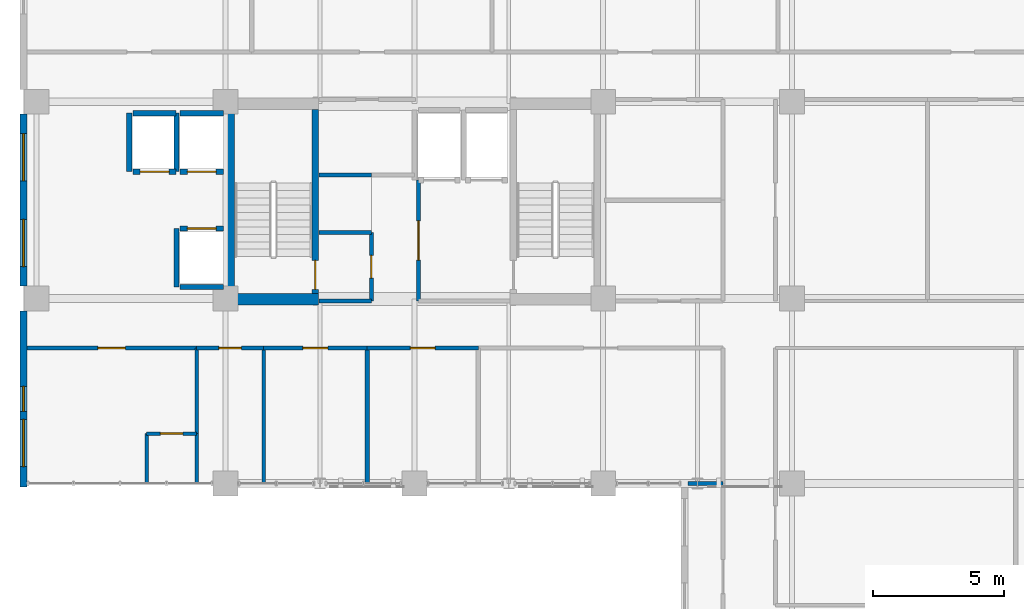
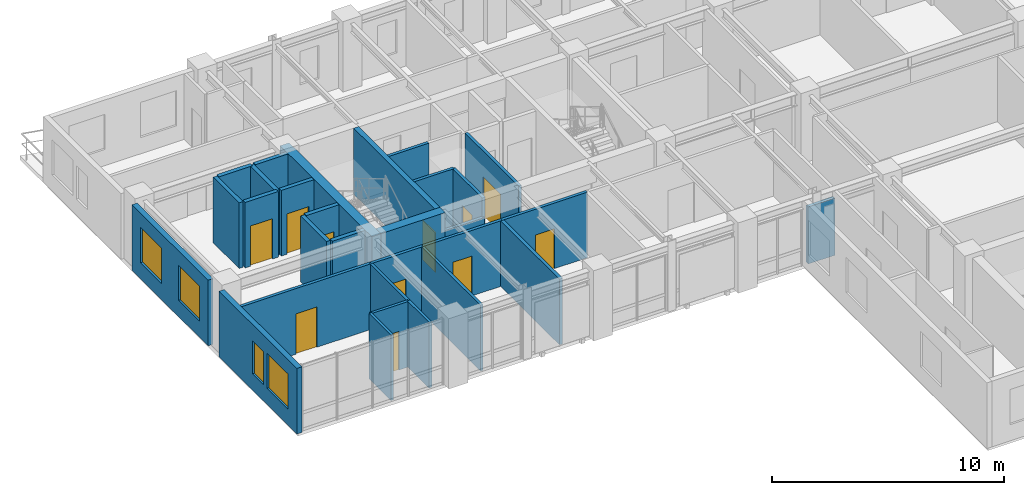
# One storey, part 8 of 16: 30 walls, 11 doors, 4 windows, 15 openings.
"""IFC4 building model written with IfcOpenShell, lengths in metres."""

import ifcopenshell
import ifcopenshell.guid

model = None  # the IFC model being written
_history = None  # IfcOwnerHistory: only IFC2X3 demands one
_inside = {}  # id of a spatial element -> (the spatial element, [elements in it])
_under = {}  # id of a project, library or spatial element -> (it, [spatial elements below it])
_declared = {}  # id of a project -> (the project, [libraries it declares])
_typed = {}  # id of a type object -> (the type object, [elements of that type])
_made_of = {}  # id of a material, layer set ... -> (it, [elements and type objects made of it])


def new_model(schema):
    """Start an empty IFC model of exactly this schema.

    Asked for "IFC4X3", IfcOpenShell would pick the latest addendum, in which some entities
    have other attributes; the version numbers below select the first issue.
    IFC2X3 requires an IfcOwnerHistory on every rooted entity: one is made here for all.
    """
    global model, _history
    if schema == "IFC4X3":
        model = ifcopenshell.file(schema_version=(4, 3, 0, 0))
    else:
        model = ifcopenshell.file(schema=schema)
    _inside.clear()
    _under.clear()
    _declared.clear()
    _typed.clear()
    _made_of.clear()
    _history = None
    if model.schema == "IFC2X3":
        org = make("IfcOrganization", Name="unknown")
        user = make(
            "IfcPersonAndOrganization",
            ThePerson=make("IfcPerson", FamilyName="unknown"),
            TheOrganization=org,
        )
        app = make(
            "IfcApplication",
            ApplicationDeveloper=org,
            Version="unknown",
            ApplicationFullName="unknown",
            ApplicationIdentifier="unknown",
        )
        _history = make(
            "IfcOwnerHistory",
            OwningUser=user,
            OwningApplication=app,
            ChangeAction="ADDED",
            CreationDate=0,
        )
    return model


def make(cls, **values):
    """One entity of the class cls with the attributes given. An attribute that is None is left unset."""
    return model.create_entity(
        cls, **{name: value for name, value in values.items() if value is not None}
    )


def rooted(cls, **values):
    """An entity with a GlobalId (a new one), such as an element, a storey or a relation."""
    return make(cls, GlobalId=ifcopenshell.guid.new(), OwnerHistory=_history, **values)


def si_unit(unit_type, name, prefix=None):
    """IfcSIUnit, for example si_unit("LENGTHUNIT", "METRE", prefix="MILLI")."""
    return make("IfcSIUnit", UnitType=unit_type, Prefix=prefix, Name=name)


def assignment(units):
    """IfcUnitAssignment: the units of a project."""
    return None if units is None else make("IfcUnitAssignment", Units=units)


def point(xyz):
    """IfcCartesianPoint."""
    return None if xyz is None else make("IfcCartesianPoint", Coordinates=xyz)


def direction(xyz):
    """IfcDirection."""
    return None if xyz is None else make("IfcDirection", DirectionRatios=xyz)


def frame(location, z_axis=None, x_axis=None):
    """IfcAxis2Placement3D, a coordinate frame: its origin and axes. An axis left out is left unset."""
    return make(
        "IfcAxis2Placement3D",
        Location=point(location),
        Axis=direction(z_axis),
        RefDirection=direction(x_axis),
    )


def frame_2d(location, x_axis=None):
    """IfcAxis2Placement2D, a coordinate frame in the plane: its origin and x axis."""
    return make(
        "IfcAxis2Placement2D", Location=point(location), RefDirection=direction(x_axis)
    )


def origin():
    """The frame at (0, 0, 0) with its axes left unset."""
    return frame((0.0, 0.0, 0.0))


def place(relative_to, where):
    """IfcLocalPlacement: puts the frame where relative to a parent placement (None: the world)."""
    return make(
        "IfcLocalPlacement", PlacementRelTo=relative_to, RelativePlacement=where
    )


def context(
    kind, dimensions, precision=None, world=None, true_north=None, identifier=None
):
    """IfcGeometricRepresentationContext, for example the 3D "Model" context."""
    return make(
        "IfcGeometricRepresentationContext",
        ContextIdentifier=identifier,
        ContextType=kind,
        CoordinateSpaceDimension=dimensions,
        Precision=precision,
        WorldCoordinateSystem=world,
        TrueNorth=true_north,
    )


def subcontext(parent, identifier, kind, view, scale=None):
    """IfcGeometricRepresentationSubContext, for example "Body" below "Model"."""
    return make(
        "IfcGeometricRepresentationSubContext",
        ContextIdentifier=identifier,
        ContextType=kind,
        ParentContext=parent,
        TargetScale=scale,
        TargetView=view,
    )


def project(units=None, contexts=None):
    """IfcProject with its units and contexts."""
    return rooted(
        "IfcProject",
        Name="project",
        RepresentationContexts=contexts,
        UnitsInContext=assignment(units),
    )


def spatial(cls, under=None, at=None, **own):
    """A site, building, storey or space (cls), placed at a placement, below another one or the project."""
    s = rooted(cls, ObjectPlacement=at, **own)
    if under is not None:
        _under.setdefault(under.id(), (under, []))[1].append(s)
    return s


def profile(cls, at=None, kind="AREA", **sizes):
    """A parametric profile (cls). Its sizes go by their IFC names, for example OverallWidth=200.0."""
    return make(cls, ProfileType=kind, Position=at, **sizes)


def rectangle(**sizes):
    """IfcRectangleProfileDef."""
    return profile("IfcRectangleProfileDef", **sizes)


def extrude(swept, where, along, depth):
    """IfcExtrudedAreaSolid: the profile swept, set in the frame where, extruded along a direction by depth."""
    return make(
        "IfcExtrudedAreaSolid",
        SweptArea=swept,
        Position=where,
        ExtrudedDirection=direction(along),
        Depth=depth,
    )


def shape(context_of_items, identifier, shape_type, items):
    """IfcShapeRepresentation: the items that make up one representation, for example the "Body"."""
    return make(
        "IfcShapeRepresentation",
        ContextOfItems=context_of_items,
        RepresentationIdentifier=identifier,
        RepresentationType=shape_type,
        Items=items,
    )


def material(Name=None, Category=None):
    """IfcMaterial."""
    return make("IfcMaterial", Name=Name, Category=Category)


def layer(
    of_material, thickness, ventilated=None, Name=None, Category=None, Priority=None
):
    """IfcMaterialLayer: one layer of a wall or slab, of a material (None: an air gap)."""
    return make(
        "IfcMaterialLayer",
        Material=of_material,
        LayerThickness=thickness,
        IsVentilated=ventilated,
        Name=Name,
        Category=Category,
        Priority=Priority,
    )


def layer_set(layers, Name=None):
    """IfcMaterialLayerSet."""
    return make("IfcMaterialLayerSet", MaterialLayers=layers, LayerSetName=Name)


def made_of(thing, what):
    """Note that an element or type object is made of a material, layer set ...; save() writes the relation."""
    if what is not None:
        _made_of.setdefault(what.id(), (what, []))[1].append(thing)
    return thing


def type_object(cls, material=None, **own):
    """A type object (cls), such as IfcWallType, which elements share."""
    return made_of(rooted(cls, **own), material)


def element(
    cls,
    number,
    at=None,
    inside=None,
    cuts=None,
    type_object=None,
    material=None,
    context=None,
    identifier="Body",
    shape_type=None,
    held_by="IfcProductDefinitionShape",
    body=None,
    shapes=None,
    **own,
):
    """One element of the class cls, such as IfcWall. Its Tag is "e" and its number.

    at: its placement. inside: the storey or other place that contains it. cuts: it is an
    opening in that element (IfcRelVoidsElement). A single representation is given by context,
    identifier, shape_type and body (its items); several are given by shapes. held_by: the class
    of the entity that holds the representations. save() writes the other relations.
    """
    e = rooted(cls, Tag="e%d" % number, ObjectPlacement=at, **own)
    if body is not None:
        shapes = [shape(context, identifier, shape_type, body)]
    if shapes is not None:
        e.Representation = make(held_by, Representations=shapes)
    if inside is not None:
        _inside.setdefault(inside.id(), (inside, []))[1].append(e)
    if cuts is not None:
        rooted(
            "IfcRelVoidsElement", RelatingBuildingElement=cuts, RelatedOpeningElement=e
        )
    if type_object is not None:
        _typed.setdefault(type_object.id(), (type_object, []))[1].append(e)
    return made_of(e, material)


def fill(opening, filler):
    """IfcRelFillsElement: the door or window that sits in an opening."""
    return rooted(
        "IfcRelFillsElement",
        RelatingOpeningElement=opening,
        RelatedBuildingElement=filler,
    )


def aggregate(whole, parts):
    """IfcRelAggregates: a whole, such as a stair, and the parts it consists of."""
    return rooted("IfcRelAggregates", RelatingObject=whole, RelatedObjects=parts)


def save(model, path):
    """Write the relations noted so far, then the file.

    IfcRelAggregates (storeys below a building ...), IfcRelContainedInSpatialStructure (elements
    in a storey), IfcRelDefinesByType, IfcRelAssociatesMaterial and IfcRelDeclares: one each for
    every whole, place, type object, material and project.
    """
    for whole, parts in _under.values():
        aggregate(whole, parts)
    for where, things in _inside.values():
        rooted(
            "IfcRelContainedInSpatialStructure",
            RelatedElements=things,
            RelatingStructure=where,
        )
    for kind, things in _typed.values():
        rooted("IfcRelDefinesByType", RelatedObjects=things, RelatingType=kind)
    for what, things in _made_of.values():
        rooted("IfcRelAssociatesMaterial", RelatedObjects=things, RelatingMaterial=what)
    for by, libraries in _declared.values():
        rooted("IfcRelDeclares", RelatingContext=by, RelatedDefinitions=libraries)
    model.write(path)


model = new_model("IFC4")

# Units and contexts
model_context = context("Model", 3, precision=1e-05, world=origin(), true_north=direction((0.0, 1.0)))
body_context = subcontext(model_context, "Body", "Model", "MODEL_VIEW")
ifc_project = project(units=[si_unit("LENGTHUNIT", "METRE"), si_unit("AREAUNIT", "SQUARE_METRE"), si_unit("VOLUMEUNIT", "CUBIC_METRE"), si_unit("PLANEANGLEUNIT", "RADIAN"), si_unit("MASSUNIT", "GRAM", prefix="KILO")], contexts=[model_context])

# Site, building, storey
site_placement = place(None, origin())
site = spatial("IfcSite", under=ifc_project, at=site_placement, CompositionType="ELEMENT")
building_placement = place(site_placement, origin())
building = spatial("IfcBuilding", under=site, at=building_placement, Name="Kaliganga Portal Commons", CompositionType="ELEMENT")
storey_placement = place(building_placement, frame((0.0, 0.0, 205.5)))
storey = spatial("IfcBuildingStorey", under=building, at=storey_placement, Name="L52", CompositionType="ELEMENT", Elevation=205.5)

# Walls
ifc_material_1 = material(Name="Concrete C60/75", Category="concrete")
ifc_layer_1 = layer(ifc_material_1, 0.449951171875)
ifc_layer_set_1 = layer_set([ifc_layer_1], Name="Concrete C60/75")
wall_type_1 = type_object("IfcWallType", Name="WL-CORE-450", PredefinedType="SHEAR", material=ifc_layer_set_1)
wall_1_placement = place(storey_placement, frame((14.52490234375, 28.39990234375, 0.0), z_axis=(0.0, 0.0, 1.0), x_axis=(0.0, 1.0, 0.0)))
element("IfcWall", 1, at=wall_1_placement, inside=storey, type_object=wall_type_1, Name="Core A West Shear Wall L52", PredefinedType="SHEAR", context=body_context, shape_type="SweptSolid", body=[
    extrude(rectangle(XDim=7.900146484375, YDim=0.449951171875, at=frame_2d((3.9501953125, 0.0))), origin(), (0.0, 0.0, 1.0), 3.469970703125),
])
wall_2_placement = place(storey_placement, frame((14.75, 28.625, 0.0), z_axis=(0.0, 0.0, 1.0), x_axis=(1.0, 0.0, 0.0)))
element("IfcWall", 2, at=wall_2_placement, inside=storey, type_object=wall_type_1, Name="Core A S-West Shear Wall L52", PredefinedType="SHEAR", context=body_context, shape_type="SweptSolid", body=[
    extrude(rectangle(XDim=3.199951171875, YDim=0.449951171875, at=frame_2d((1.60009765625, 0.0))), origin(), (0.0, 0.0, 1.0), 3.469970703125),
])

# Wall, openings, windows
ifc_material_2 = material(Name="Insulated Aluminium-Clad Spandrel Assembly", Category="aluminium")
ifc_layer_2 = layer(ifc_material_2, 0.260009765625)
ifc_layer_set_2 = layer_set([ifc_layer_2], Name="Insulated Aluminium-Clad Spandrel Assembly")
wall_type_2 = type_object("IfcWallType", Name="WL-EXT-SPAND-260", PredefinedType="STANDARD", material=ifc_layer_set_2)
wall_3_placement = place(storey_placement, frame((6.699951171875, 29.1259765625, 0.0), z_axis=(0.0, 0.0, 1.0), x_axis=(0.0, 1.0, 0.0)))
wall_3 = element("IfcWall", 3, at=wall_3_placement, inside=storey, type_object=wall_type_2, Name="Exterior Envelope Wall L52 P1-E03-S2", PredefinedType="STANDARD", context=body_context, shape_type="SweptSolid", body=[
    extrude(rectangle(XDim=6.548095703125, YDim=0.260009765625, at=frame_2d((3.27392578125, 0.0))), origin(), (0.0, 0.0, 1.0), 3.449951171875),
])
opening_1_placement = place(wall_3_placement, frame((0.737060546875, 0.0, 0.85009765625)))
opening_1 = element("IfcOpeningElement", 4, at=opening_1_placement, cuts=wall_3, Name="Opening W-01", PredefinedType="OPENING", context=body_context, shape_type="SweptSolid", body=[
    extrude(rectangle(XDim=1.800048828125, YDim=1.85009765625, at=frame_2d((0.89990234375, 0.925048828125))), frame((0.0, 0.14013671875, 0.0), z_axis=(0.0, -1.0, 0.0), x_axis=(1.0, 0.0, 0.0)), (0.0, 0.0, 1.0), 0.280029296875),
])
opening_2_placement = place(wall_3_placement, frame((4.010986328125, 0.0, 0.85009765625)))
opening_2 = element("IfcOpeningElement", 5, at=opening_2_placement, cuts=wall_3, Name="Opening W-01", PredefinedType="OPENING", context=body_context, shape_type="SweptSolid", body=[
    extrude(rectangle(XDim=1.800048828125, YDim=1.85009765625, at=frame_2d((0.89990234375, 0.925048828125))), frame((0.0, 0.14013671875, 0.0), z_axis=(0.0, -1.0, 0.0), x_axis=(1.0, 0.0, 0.0)), (0.0, 0.0, 1.0), 0.280029296875),
])
ifc_material_3 = material(Name="Thermally Broken Aluminium and Low-E Double Glazing", Category="aluminium")
window_type_1 = type_object("IfcWindowType", Name="WIN-STD-1800", PartitioningType="DOUBLE_PANEL_VERTICAL", PredefinedType="WINDOW", material=ifc_material_3)
window_1_placement = place(opening_1_placement, origin())
window_1 = element("IfcWindow", 6, at=window_1_placement, inside=storey, type_object=window_type_1, Name="Facade Window L52-P1E03S2-00", OverallHeight=1.85009765625, OverallWidth=1.800048828125, PartitioningType="SINGLE_PANEL", PredefinedType="WINDOW", context=body_context, shape_type="SweptSolid", body=[
    extrude(rectangle(XDim=1.800048828125, YDim=1.85009765625, at=frame_2d((0.89990234375, 0.925048828125))), frame((0.0, 0.030029296875, 0.0), z_axis=(0.0, -1.0, 0.0), x_axis=(1.0, 0.0, 0.0)), (0.0, 0.0, 1.0), 0.06005859375),
])
fill(opening_1, window_1)
window_2_placement = place(opening_2_placement, origin())
window_2 = element("IfcWindow", 7, at=window_2_placement, inside=storey, type_object=window_type_1, Name="Facade Window L52-P1E03S2-01", OverallHeight=1.85009765625, OverallWidth=1.800048828125, PartitioningType="SINGLE_PANEL", PredefinedType="WINDOW", context=body_context, shape_type="SweptSolid", body=[
    extrude(rectangle(XDim=1.800048828125, YDim=1.85009765625, at=frame_2d((0.89990234375, 0.925048828125))), frame((0.0, 0.030029296875, 0.0), z_axis=(0.0, -1.0, 0.0), x_axis=(1.0, 0.0, 0.0)), (0.0, 0.0, 1.0), 0.06005859375),
])
fill(opening_2, window_2)

wall_4_placement = place(storey_placement, frame((6.699951171875, 21.469970703125, 0.0), z_axis=(0.0, 0.0, 1.0), x_axis=(0.0, 1.0, 0.0)))
wall_4 = element("IfcWall", 8, at=wall_4_placement, inside=storey, type_object=wall_type_2, Name="Exterior Envelope Wall L52 P1-E03-S3", PredefinedType="STANDARD", context=body_context, shape_type="SweptSolid", body=[
    extrude(rectangle(XDim=6.7041015625, YDim=0.260009765625, at=frame_2d((3.35205078125, 0.0))), origin(), (0.0, 0.0, 1.0), 3.449951171875),
])
opening_3_placement = place(wall_4_placement, frame((0.77587890625, 0.0, 0.85009765625)))
opening_3 = element("IfcOpeningElement", 9, at=opening_3_placement, cuts=wall_4, Name="Opening W-01", PredefinedType="OPENING", context=body_context, shape_type="SweptSolid", body=[
    extrude(rectangle(XDim=1.800048828125, YDim=1.85009765625, at=frame_2d((0.89990234375, 0.925048828125))), frame((0.0, 0.14013671875, 0.0), z_axis=(0.0, -1.0, 0.0), x_axis=(1.0, 0.0, 0.0)), (0.0, 0.0, 1.0), 0.280029296875),
])
opening_4_placement = place(wall_4_placement, frame((2.876953125, 0.0, 0.85009765625)))
opening_4 = element("IfcOpeningElement", 10, at=opening_4_placement, cuts=wall_4, Name="Opening W-04", PredefinedType="OPENING", context=body_context, shape_type="SweptSolid", body=[
    extrude(rectangle(XDim=0.949951171875, YDim=1.75, at=frame_2d((0.47509765625, 0.875))), frame((0.0, 0.14013671875, 0.0), z_axis=(0.0, -1.0, 0.0), x_axis=(1.0, 0.0, 0.0)), (0.0, 0.0, 1.0), 0.280029296875),
])
window_type_2 = type_object("IfcWindowType", Name="WIN-NARROW-950", PartitioningType="SINGLE_PANEL", PredefinedType="WINDOW", material=ifc_material_3)
window_3_placement = place(opening_4_placement, origin())
window_3 = element("IfcWindow", 11, at=window_3_placement, inside=storey, type_object=window_type_2, Name="Facade Window L52-P1E03S3-N0", OverallHeight=1.75, OverallWidth=0.949951171875, PartitioningType="SINGLE_PANEL", PredefinedType="WINDOW", context=body_context, shape_type="SweptSolid", body=[
    extrude(rectangle(XDim=0.949951171875, YDim=1.75, at=frame_2d((0.47509765625, 0.875))), frame((0.0, 0.030029296875, 0.0), z_axis=(0.0, -1.0, 0.0), x_axis=(1.0, 0.0, 0.0)), (0.0, 0.0, 1.0), 0.06005859375),
])
fill(opening_4, window_3)
window_4_placement = place(opening_3_placement, origin())
window_4 = element("IfcWindow", 12, at=window_4_placement, inside=storey, type_object=window_type_1, Name="Facade Window L52-P1E03S3-00", OverallHeight=1.85009765625, OverallWidth=1.800048828125, PartitioningType="SINGLE_PANEL", PredefinedType="WINDOW", context=body_context, shape_type="SweptSolid", body=[
    extrude(rectangle(XDim=1.800048828125, YDim=1.85009765625, at=frame_2d((0.89990234375, 0.925048828125))), frame((0.0, 0.030029296875, 0.0), z_axis=(0.0, -1.0, 0.0), x_axis=(1.0, 0.0, 0.0)), (0.0, 0.0, 1.0), 0.06005859375),
])
fill(opening_3, window_4)

# Wall, opening, door
ifc_material_4 = material(Name="Fire-Rated Gypsum Board on Steel Stud", Category="steel")
ifc_layer_3 = layer(ifc_material_4, 0.14990234375)
ifc_layer_set_3 = layer_set([ifc_layer_3], Name="Fire-Rated Gypsum Board on Steel Stud")
wall_type_3 = type_object("IfcWallType", Name="WL-PART-CORR-150", PredefinedType="PARTITIONING", material=ifc_layer_set_3)
wall_5_placement = place(storey_placement, frame((6.83203125, 26.760009765625, 0.0), z_axis=(0.0, 0.0, 1.0), x_axis=(1.0, 0.0, 0.0)))
wall_5 = element("IfcWall", 13, at=wall_5_placement, inside=storey, type_object=wall_type_3, Name="Interior Partition L52-020", PredefinedType="PARTITIONING", context=body_context, shape_type="SweptSolid", body=[
    extrude(rectangle(XDim=6.468017578125, YDim=0.14990234375, at=frame_2d((3.23388671875, 0.0))), origin(), (0.0, 0.0, 1.0), 3.449951171875),
])
opening_5_placement = place(wall_5_placement, frame((2.708984375, 0.0, 0.0)))
opening_5 = element("IfcOpeningElement", 14, at=opening_5_placement, cuts=wall_5, Name="Opening UD-02", PredefinedType="OPENING", context=body_context, shape_type="SweptSolid", body=[
    extrude(rectangle(XDim=1.050048828125, YDim=2.1201171875, at=frame_2d((0.52490234375, 1.06005859375))), frame((0.0, 0.0849609375, 0.0), z_axis=(0.0, -1.0, 0.0), x_axis=(1.0, 0.0, 0.0)), (0.0, 0.0, 1.0), 0.169921875),
])
ifc_material_5 = material(Name="Accessible Wide-Leaf Acoustic Fire Door", Category="wood")
door_type_1 = type_object("IfcDoorType", Name="DR-ACC-1050", OperationType="NOTDEFINED", PredefinedType="DOOR", material=ifc_material_5)
door_1_placement = place(opening_5_placement, origin())
door_1 = element("IfcDoor", 15, at=door_1_placement, inside=storey, type_object=door_type_1, Name="Interior Door L52-AS01", OperationType="SINGLE_SWING_RIGHT", OverallHeight=2.1201171875, OverallWidth=1.050048828125, PredefinedType="DOOR", context=body_context, shape_type="SweptSolid", body=[
    extrude(rectangle(XDim=1.050048828125, YDim=2.1201171875, at=frame_2d((0.52490234375, 1.06005859375))), frame((0.0, 0.02490234375, 0.0), z_axis=(0.0, -1.0, 0.0), x_axis=(1.0, 0.0, 0.0)), (0.0, 0.0, 1.0), 0.050048828125),
])
fill(opening_5, door_1)

wall_6_placement = place(storey_placement, frame((19.800048828125, 26.760009765625, 0.0), z_axis=(0.0, 0.0, 1.0), x_axis=(1.0, 0.0, 0.0)))
wall_6 = element("IfcWall", 16, at=wall_6_placement, inside=storey, type_object=wall_type_3, Name="Interior Partition L52-030", PredefinedType="PARTITIONING", context=body_context, shape_type="SweptSolid", body=[
    extrude(rectangle(XDim=4.239990234375, YDim=0.14990234375, at=frame_2d((2.1201171875, 0.0))), origin(), (0.0, 0.0, 1.0), 3.449951171875),
])
opening_6_placement = place(wall_6_placement, frame((1.64501953125, 0.0, 0.0)))
opening_6 = element("IfcOpeningElement", 17, at=opening_6_placement, cuts=wall_6, Name="Opening UD-01", PredefinedType="OPENING", context=body_context, shape_type="SweptSolid", body=[
    extrude(rectangle(XDim=0.949951171875, YDim=2.10009765625, at=frame_2d((0.47509765625, 1.050048828125))), frame((0.0, 0.0849609375, 0.0), z_axis=(0.0, -1.0, 0.0), x_axis=(1.0, 0.0, 0.0)), (0.0, 0.0, 1.0), 0.169921875),
])
ifc_material_6 = material(Name="Solid-Core Timber Acoustic Fire Door", Category="wood")
door_type_2 = type_object("IfcDoorType", Name="DR-UNIT-950", OperationType="NOTDEFINED", PredefinedType="DOOR", material=ifc_material_6)
door_2_placement = place(opening_6_placement, origin())
door_2 = element("IfcDoor", 18, at=door_2_placement, inside=storey, type_object=door_type_2, Name="Interior Door L52-AS04", OperationType="SINGLE_SWING_LEFT", OverallHeight=2.10009765625, OverallWidth=0.949951171875, PredefinedType="DOOR", context=body_context, shape_type="SweptSolid", body=[
    extrude(rectangle(XDim=0.949951171875, YDim=2.10009765625, at=frame_2d((0.47509765625, 1.050048828125))), frame((0.0, 0.02490234375, 0.0), z_axis=(0.0, -1.0, 0.0), x_axis=(1.0, 0.0, 0.0)), (0.0, 0.0, 1.0), 0.050048828125),
])
fill(opening_6, door_2)

wall_7_placement = place(storey_placement, frame((15.860107421875, 26.760009765625, 0.0), z_axis=(0.0, 0.0, 1.0), x_axis=(1.0, 0.0, 0.0)))
wall_7 = element("IfcWall", 19, at=wall_7_placement, inside=storey, type_object=wall_type_3, Name="Interior Partition L52-032", PredefinedType="PARTITIONING", context=body_context, shape_type="SweptSolid", body=[
    extrude(rectangle(XDim=3.93994140625, YDim=0.14990234375, at=frame_2d((1.969970703125, 0.0))), origin(), (0.0, 0.0, 1.0), 3.449951171875),
])
opening_7_placement = place(wall_7_placement, frame((1.4951171875, 0.0, 0.0)))
opening_7 = element("IfcOpeningElement", 20, at=opening_7_placement, cuts=wall_7, Name="Opening UD-01", PredefinedType="OPENING", context=body_context, shape_type="SweptSolid", body=[
    extrude(rectangle(XDim=0.949951171875, YDim=2.10009765625, at=frame_2d((0.47509765625, 1.050048828125))), frame((0.0, 0.0849609375, 0.0), z_axis=(0.0, -1.0, 0.0), x_axis=(1.0, 0.0, 0.0)), (0.0, 0.0, 1.0), 0.169921875),
])
door_3_placement = place(opening_7_placement, origin())
door_3 = element("IfcDoor", 21, at=door_3_placement, inside=storey, type_object=door_type_2, Name="Interior Door L52-AS03", OperationType="SINGLE_SWING_LEFT", OverallHeight=2.10009765625, OverallWidth=0.949951171875, PredefinedType="DOOR", context=body_context, shape_type="SweptSolid", body=[
    extrude(rectangle(XDim=0.949951171875, YDim=2.10009765625, at=frame_2d((0.47509765625, 1.050048828125))), frame((0.0, 0.02490234375, 0.0), z_axis=(0.0, -1.0, 0.0), x_axis=(1.0, 0.0, 0.0)), (0.0, 0.0, 1.0), 0.050048828125),
])
fill(opening_7, door_3)

wall_8_placement = place(storey_placement, frame((19.9599609375, 28.56005859375, 0.0), z_axis=(0.0, 0.0, 1.0), x_axis=(0.0, 1.0, 0.0)))
wall_8 = element("IfcWall", 22, at=wall_8_placement, inside=storey, type_object=wall_type_3, Name="Interior Partition L52-039", PredefinedType="PARTITIONING", context=body_context, shape_type="SweptSolid", body=[
    extrude(rectangle(XDim=2.599853515625, YDim=0.14990234375, at=frame_2d((1.2998046875, 0.0))), origin(), (0.0, 0.0, 1.0), 3.449951171875),
])
opening_8_placement = place(wall_8_placement, frame((0.8701171875, 0.0, 0.0)))
opening_8 = element("IfcOpeningElement", 23, at=opening_8_placement, cuts=wall_8, Name="Opening WD-02", PredefinedType="OPENING", context=body_context, shape_type="SweptSolid", body=[
    extrude(rectangle(XDim=0.860107421875, YDim=2.02001953125, at=frame_2d((0.43017578125, 1.010009765625))), frame((0.0, 0.0849609375, 0.0), z_axis=(0.0, -1.0, 0.0), x_axis=(1.0, 0.0, 0.0)), (0.0, 0.0, 1.0), 0.169921875),
])
ifc_material_7 = material(Name="Fire-Rated Utility Closet Door", Category="wood")
door_type_3 = type_object("IfcDoorType", Name="DR-STORE-800", OperationType="NOTDEFINED", PredefinedType="DOOR", material=ifc_material_7)
door_4_placement = place(opening_8_placement, origin())
door_4 = element("IfcDoor", 24, at=door_4_placement, inside=storey, type_object=door_type_3, Name="Interior Door L52-CIN_A1", OperationType="SINGLE_SWING_RIGHT", OverallHeight=2.02001953125, OverallWidth=0.860107421875, PredefinedType="DOOR", context=body_context, shape_type="SweptSolid", body=[
    extrude(rectangle(XDim=0.860107421875, YDim=2.02001953125, at=frame_2d((0.43017578125, 1.010009765625))), frame((0.0, 0.02490234375, 0.0), z_axis=(0.0, -1.0, 0.0), x_axis=(1.0, 0.0, 0.0)), (0.0, 0.0, 1.0), 0.050048828125),
])
fill(opening_8, door_4)

wall_9_placement = place(storey_placement, frame((13.300048828125, 26.760009765625, 0.0), z_axis=(0.0, 0.0, 1.0), x_axis=(1.0, 0.0, 0.0)))
wall_9 = element("IfcWall", 25, at=wall_9_placement, inside=storey, type_object=wall_type_3, Name="Interior Partition L52-040", PredefinedType="PARTITIONING", context=body_context, shape_type="SweptSolid", body=[
    extrude(rectangle(XDim=2.56005859375, YDim=0.14990234375, at=frame_2d((1.280029296875, 0.0))), origin(), (0.0, 0.0, 1.0), 3.449951171875),
])
opening_9_placement = place(wall_9_placement, frame((0.85498046875, 0.0, 0.0)))
opening_9 = element("IfcOpeningElement", 26, at=opening_9_placement, cuts=wall_9, Name="Opening WD-01", PredefinedType="OPENING", context=body_context, shape_type="SweptSolid", body=[
    extrude(rectangle(XDim=0.85009765625, YDim=2.0400390625, at=frame_2d((0.425048828125, 1.02001953125))), frame((0.0, 0.0849609375, 0.0), z_axis=(0.0, -1.0, 0.0), x_axis=(1.0, 0.0, 0.0)), (0.0, 0.0, 1.0), 0.169921875),
])
ifc_material_8 = material(Name="Moisture-Resistant Laminate Timber Door", Category="wood")
door_type_4 = type_object("IfcDoorType", Name="DR-WET-850", OperationType="NOTDEFINED", PredefinedType="DOOR", material=ifc_material_8)
door_5_placement = place(opening_9_placement, origin())
door_5 = element("IfcDoor", 27, at=door_5_placement, inside=storey, type_object=door_type_4, Name="Interior Door L52-AS02", OperationType="SINGLE_SWING_LEFT", OverallHeight=2.0400390625, OverallWidth=0.85009765625, PredefinedType="DOOR", context=body_context, shape_type="SweptSolid", body=[
    extrude(rectangle(XDim=0.85009765625, YDim=2.0400390625, at=frame_2d((0.425048828125, 1.02001953125))), frame((0.0, 0.02490234375, 0.0), z_axis=(0.0, -1.0, 0.0), x_axis=(1.0, 0.0, 0.0)), (0.0, 0.0, 1.0), 0.050048828125),
])
fill(opening_9, door_5)

# Walls
wall_10_placement = place(storey_placement, frame((17.9599609375, 28.56005859375, 0.0), z_axis=(0.0, 0.0, 1.0), x_axis=(1.0, 0.0, 0.0)))
element("IfcWall", 28, at=wall_10_placement, inside=storey, type_object=wall_type_3, Name="Interior Partition L52-041", PredefinedType="PARTITIONING", context=body_context, shape_type="SweptSolid", body=[
    extrude(rectangle(XDim=2.0, YDim=0.14990234375, at=frame_2d((1.0, 0.0))), origin(), (0.0, 0.0, 1.0), 2.449951171875),
])
for number, where, z_axis, x_axis, name in (
    (29, (17.9599609375, 31.159912109375, 0.0), (0.0, 0.0, 1.0), (1.0, 0.0, 0.0), "Interior Partition L52-042"),
    (30, (17.9599609375, 33.360107421875, 0.0), (0.0, 0.0, 1.0), (1.0, 0.0, 0.0), "Interior Partition L52-043"),
):
    element("IfcWall", number, at=place(storey_placement, frame(where, z_axis=z_axis, x_axis=x_axis)), inside=storey, type_object=wall_type_3, Name=name, PredefinedType="PARTITIONING", context=body_context, shape_type="SweptSolid", body=[
        extrude(rectangle(XDim=2.0, YDim=0.14990234375, at=frame_2d((1.0, 0.0))), origin(), (0.0, 0.0, 1.0), 3.449951171875),
    ])

# Wall, opening, door
wall_11_placement = place(storey_placement, frame((21.760009765625, 28.56005859375, 0.0), z_axis=(0.0, 0.0, 1.0), x_axis=(0.0, 1.0, 0.0)))
wall_11 = element("IfcWall", 31, at=wall_11_placement, inside=storey, type_object=wall_type_3, Name="Interior Partition L52-067", PredefinedType="PARTITIONING", context=body_context, shape_type="SweptSolid", body=[
    extrude(rectangle(XDim=4.599853515625, YDim=0.14990234375, at=frame_2d((2.2998046875, 0.0))), origin(), (0.0, 0.0, 1.0), 3.449951171875),
])
opening_10_placement = place(wall_11_placement, frame((1.550048828125, 0.0, 0.0)))
opening_10 = element("IfcOpeningElement", 32, at=opening_10_placement, cuts=wall_11, Name="Opening FD-01", PredefinedType="OPENING", context=body_context, shape_type="SweptSolid", body=[
    extrude(rectangle(XDim=1.5, YDim=2.10009765625, at=frame_2d((0.75, 1.050048828125))), frame((0.0, 0.0849609375, 0.0), z_axis=(0.0, -1.0, 0.0), x_axis=(1.0, 0.0, 0.0)), (0.0, 0.0, 1.0), 0.169921875),
])
ifc_material_9 = material(Name="Fire-Rated Hardwood and Georgian-Wired Vision Panel", Category="wood")
door_type_5 = type_object("IfcDoorType", Name="DR-LOBBY-1500", OperationType="DOUBLE_DOOR_SINGLE_SWING", PredefinedType="DOOR", material=ifc_material_9)
door_6_placement = place(opening_10_placement, origin())
door_6 = element("IfcDoor", 33, at=door_6_placement, inside=storey, type_object=door_type_5, Name="Interior Door L52-FFLOB_A", OperationType="DOUBLE_DOOR_SINGLE_SWING", OverallHeight=2.10009765625, OverallWidth=1.5, PredefinedType="DOOR", context=body_context, shape_type="SweptSolid", body=[
    extrude(rectangle(XDim=1.5, YDim=2.10009765625, at=frame_2d((0.75, 1.050048828125))), frame((0.0, 0.02490234375, 0.0), z_axis=(0.0, -1.0, 0.0), x_axis=(1.0, 0.0, 0.0)), (0.0, 0.0, 1.0), 0.050048828125),
])
fill(opening_10, door_6)

# Walls
ifc_material_10 = material(Name="Twin-Stud Acoustic Gypsum Partition", Category="gypsum")
ifc_layer_4 = layer(ifc_material_10, 0.1650390625)
ifc_layer_set_4 = layer_set([ifc_layer_4], Name="Twin-Stud Acoustic Gypsum Partition")
wall_type_4 = type_object("IfcWallType", Name="WL-PART-UNIT-165", PredefinedType="PARTITIONING", material=ifc_layer_set_4)
wall_12_placement = place(storey_placement, frame((19.800048828125, 21.6201171875, 0.0), z_axis=(0.0, 0.0, 1.0), x_axis=(0.0, 1.0, 0.0)))
element("IfcWall", 34, at=wall_12_placement, inside=storey, type_object=wall_type_4, Name="Interior Partition L52-063", PredefinedType="PARTITIONING", context=body_context, shape_type="SweptSolid", body=[
    extrude(rectangle(XDim=5.139892578125, YDim=0.1650390625, at=frame_2d((2.56982421875, 0.0))), origin(), (0.0, 0.0, 1.0), 3.449951171875),
])
wall_13_placement = place(storey_placement, frame((32.031982421875, 21.60009765625, 0.0), z_axis=(0.0, 0.0, 1.0), x_axis=(1.0, 0.0, 0.0)))
element("IfcWall", 35, at=wall_13_placement, inside=storey, type_object=wall_type_4, Name="Interior Partition L52-076", PredefinedType="PARTITIONING", context=body_context, shape_type="SweptSolid", body=[
    extrude(rectangle(XDim=1.328125, YDim=0.1650390625, at=frame_2d((0.6640625, 0.0))), origin(), (0.0, 0.0, 1.0), 3.0),
])

# Wall, opening, door
ifc_material_11 = material(Name="Cement-Board Wet-Room Partition", Category="gypsum")
ifc_layer_5 = layer(ifc_material_11, 0.135009765625)
ifc_layer_set_5 = layer_set([ifc_layer_5], Name="Cement-Board Wet-Room Partition")
wall_type_5 = type_object("IfcWallType", Name="WL-PART-WET-135", PredefinedType="PARTITIONING", material=ifc_layer_set_5)
wall_14_placement = place(storey_placement, frame((11.39990234375, 23.5, 0.0), z_axis=(0.0, 0.0, 1.0), x_axis=(1.0, 0.0, 0.0)))
wall_14 = element("IfcWall", 36, at=wall_14_placement, inside=storey, type_object=wall_type_5, Name="Interior Partition L52-003", PredefinedType="PARTITIONING", context=body_context, shape_type="SweptSolid", body=[
    extrude(rectangle(XDim=1.900146484375, YDim=0.135009765625, at=frame_2d((0.9501953125, 0.0))), origin(), (0.0, 0.0, 1.0), 3.449951171875),
])
opening_11_placement = place(wall_14_placement, frame((0.52490234375, 0.0, 0.0)))
opening_11 = element("IfcOpeningElement", 37, at=opening_11_placement, cuts=wall_14, Name="Opening WD-01", PredefinedType="OPENING", context=body_context, shape_type="SweptSolid", body=[
    extrude(rectangle(XDim=0.85009765625, YDim=2.0400390625, at=frame_2d((0.425048828125, 1.02001953125))), frame((0.0, 0.07763671875, 0.0), z_axis=(0.0, -1.0, 0.0), x_axis=(1.0, 0.0, 0.0)), (0.0, 0.0, 1.0), 0.155029296875),
])
door_7_placement = place(opening_11_placement, origin())
door_7 = element("IfcDoor", 38, at=door_7_placement, inside=storey, type_object=door_type_4, Name="Interior Door L52-AS01E", OperationType="SINGLE_SWING_RIGHT", OverallHeight=2.0400390625, OverallWidth=0.85009765625, PredefinedType="DOOR", context=body_context, shape_type="SweptSolid", body=[
    extrude(rectangle(XDim=0.85009765625, YDim=2.0400390625, at=frame_2d((0.425048828125, 1.02001953125))), frame((0.0, 0.02490234375, 0.0), z_axis=(0.0, -1.0, 0.0), x_axis=(1.0, 0.0, 0.0)), (0.0, 0.0, 1.0), 0.050048828125),
])
fill(opening_11, door_7)

# Walls
for number, where, z_axis, x_axis, name in (
    (39, (11.39990234375, 21.6201171875, 0.0), (0.0, 0.0, 1.0), (0.0, 1.0, 0.0), "Interior Partition L52-005"),
    (40, (13.300048828125, 21.6201171875, 0.0), (0.0, 0.0, 1.0), (0.0, 1.0, 0.0), "Interior Partition L52-006"),
):
    element("IfcWall", number, at=place(storey_placement, frame(where, z_axis=z_axis, x_axis=x_axis)), inside=storey, type_object=wall_type_5, Name=name, PredefinedType="PARTITIONING", context=body_context, shape_type="SweptSolid", body=[
        extrude(rectangle(XDim=1.8798828125, YDim=0.135009765625, at=frame_2d((0.93994140625, 0.0))), origin(), (0.0, 0.0, 1.0), 3.449951171875),
    ])
wall_15_placement = place(storey_placement, frame((15.860107421875, 21.6201171875, 0.0), z_axis=(0.0, 0.0, 1.0), x_axis=(0.0, 1.0, 0.0)))
element("IfcWall", 41, at=wall_15_placement, inside=storey, type_object=wall_type_5, Name="Interior Partition L52-062", PredefinedType="PARTITIONING", context=body_context, shape_type="SweptSolid", body=[
    extrude(rectangle(XDim=5.139892578125, YDim=0.135009765625, at=frame_2d((2.56982421875, 0.0))), origin(), (0.0, 0.0, 1.0), 3.449951171875),
])
wall_16_placement = place(storey_placement, frame((13.300048828125, 23.5, 0.0), z_axis=(0.0, 0.0, 1.0), x_axis=(0.0, 1.0, 0.0)))
element("IfcWall", 42, at=wall_16_placement, inside=storey, type_object=wall_type_5, Name="Interior Partition L52-072", PredefinedType="PARTITIONING", context=body_context, shape_type="SweptSolid", body=[
    extrude(rectangle(XDim=3.260009765625, YDim=0.135009765625, at=frame_2d((1.6298828125, 0.0))), origin(), (0.0, 0.0, 1.0), 3.449951171875),
])

# Wall, opening, door
ifc_material_12 = material(Name="Fire-Rated Shaftwall Masonry Assembly", Category="masonry")
ifc_layer_6 = layer(ifc_material_12, 0.199951171875)
ifc_layer_set_6 = layer_set([ifc_layer_6], Name="Fire-Rated Shaftwall Masonry Assembly")
wall_type_6 = type_object("IfcWallType", Name="WL-SHAFT-200", PredefinedType="PARTITIONING", material=ifc_layer_set_6)
wall_17_placement = place(storey_placement, frame((12.675048828125, 33.485107421875, 0.0), z_axis=(0.0, 0.0, 1.0), x_axis=(1.0, 0.0, 0.0)))
wall_17 = element("IfcWall", 43, at=wall_17_placement, inside=storey, type_object=wall_type_6, Name="Lift PL-A3 Hoistway Shaft Wall L52-S", PredefinedType="PARTITIONING", context=body_context, shape_type="SweptSolid", body=[
    extrude(rectangle(XDim=1.64990234375, YDim=0.199951171875, at=frame_2d((0.824951171875, 0.0))), origin(), (0.0, 0.0, 1.0), 3.449951171875),
])
opening_12_placement = place(wall_17_placement, frame((0.27490234375, 0.0, 0.0)))
opening_12 = element("IfcOpeningElement", 44, at=opening_12_placement, cuts=wall_17, Name="Opening LD-01", PredefinedType="OPENING", context=body_context, shape_type="SweptSolid", body=[
    extrude(rectangle(XDim=1.10009765625, YDim=2.1201171875, at=frame_2d((0.550048828125, 1.06005859375))), frame((0.0, 0.10986328125, 0.0), z_axis=(0.0, -1.0, 0.0), x_axis=(1.0, 0.0, 0.0)), (0.0, 0.0, 1.0), 0.219970703125),
])
ifc_material_13 = material(Name="Brushed Stainless Steel 316 Lift Landing Door", Category="steel")
door_type_6 = type_object("IfcDoorType", Name="DR-LIFT-1100", OperationType="SLIDING_TO_LEFT", PredefinedType="DOOR", material=ifc_material_13)
door_8_placement = place(opening_12_placement, origin())
door_8 = element("IfcDoor", 45, at=door_8_placement, inside=storey, type_object=door_type_6, Name="Lift PL-A3 Sliding Landing Door L52", OperationType="SLIDING_TO_LEFT", OverallHeight=2.1201171875, OverallWidth=1.10009765625, PredefinedType="DOOR", context=body_context, shape_type="SweptSolid", body=[
    extrude(rectangle(XDim=1.10009765625, YDim=2.1201171875, at=frame_2d((0.550048828125, 1.06005859375))), frame((0.0, 0.02490234375, 0.0), z_axis=(0.0, -1.0, 0.0), x_axis=(1.0, 0.0, 0.0)), (0.0, 0.0, 1.0), 0.050048828125),
])
fill(opening_12, door_8)

# Walls
wall_18_placement = place(storey_placement, frame((12.675048828125, 35.715087890625, 0.0), z_axis=(0.0, 0.0, 1.0), x_axis=(1.0, 0.0, 0.0)))
element("IfcWall", 46, at=wall_18_placement, inside=storey, type_object=wall_type_6, Name="Lift PL-A3 Hoistway Shaft Wall L52-N", PredefinedType="PARTITIONING", context=body_context, shape_type="SweptSolid", body=[
    extrude(rectangle(XDim=1.64990234375, YDim=0.199951171875, at=frame_2d((0.824951171875, 0.0))), origin(), (0.0, 0.0, 1.0), 3.449951171875),
])
wall_19_placement = place(storey_placement, frame((12.534912109375, 33.485107421875, 0.0), z_axis=(0.0, 0.0, 1.0), x_axis=(0.0, 1.0, 0.0)))
element("IfcWall", 47, at=wall_19_placement, inside=storey, type_object=wall_type_6, Name="Lift PL-A3 Hoistway Shaft Wall L52-W", PredefinedType="PARTITIONING", context=body_context, shape_type="SweptSolid", body=[
    extrude(rectangle(XDim=2.22998046875, YDim=0.199951171875, at=frame_2d((1.114990234375, 0.0))), origin(), (0.0, 0.0, 1.0), 3.449951171875),
])
wall_20_placement = place(storey_placement, frame((12.675048828125, 29.0849609375, 0.0), z_axis=(0.0, 0.0, 1.0), x_axis=(1.0, 0.0, 0.0)))
element("IfcWall", 48, at=wall_20_placement, inside=storey, type_object=wall_type_6, Name="Lift PL-A4 Hoistway Shaft Wall L52-S", PredefinedType="PARTITIONING", context=body_context, shape_type="SweptSolid", body=[
    extrude(rectangle(XDim=1.64990234375, YDim=0.199951171875, at=frame_2d((0.824951171875, 0.0))), origin(), (0.0, 0.0, 1.0), 3.449951171875),
])

# Wall, opening, door
wall_21_placement = place(storey_placement, frame((12.675048828125, 31.31494140625, 0.0), z_axis=(0.0, 0.0, 1.0), x_axis=(1.0, 0.0, 0.0)))
wall_21 = element("IfcWall", 49, at=wall_21_placement, inside=storey, type_object=wall_type_6, Name="Lift PL-A4 Hoistway Shaft Wall L52-N", PredefinedType="PARTITIONING", context=body_context, shape_type="SweptSolid", body=[
    extrude(rectangle(XDim=1.64990234375, YDim=0.199951171875, at=frame_2d((0.824951171875, 0.0))), origin(), (0.0, 0.0, 1.0), 3.449951171875),
])
opening_13_placement = place(wall_21_placement, frame((0.27490234375, 0.0, 0.0)))
opening_13 = element("IfcOpeningElement", 50, at=opening_13_placement, cuts=wall_21, Name="Opening LD-01", PredefinedType="OPENING", context=body_context, shape_type="SweptSolid", body=[
    extrude(rectangle(XDim=1.10009765625, YDim=2.1201171875, at=frame_2d((0.550048828125, 1.06005859375))), frame((0.0, 0.10986328125, 0.0), z_axis=(0.0, -1.0, 0.0), x_axis=(1.0, 0.0, 0.0)), (0.0, 0.0, 1.0), 0.219970703125),
])
door_9_placement = place(opening_13_placement, origin())
door_9 = element("IfcDoor", 51, at=door_9_placement, inside=storey, type_object=door_type_6, Name="Lift PL-A4 Sliding Landing Door L52", OperationType="SLIDING_TO_LEFT", OverallHeight=2.1201171875, OverallWidth=1.10009765625, PredefinedType="DOOR", context=body_context, shape_type="SweptSolid", body=[
    extrude(rectangle(XDim=1.10009765625, YDim=2.1201171875, at=frame_2d((0.550048828125, 1.06005859375))), frame((0.0, 0.02490234375, 0.0), z_axis=(0.0, -1.0, 0.0), x_axis=(1.0, 0.0, 0.0)), (0.0, 0.0, 1.0), 0.050048828125),
])
fill(opening_13, door_9)

# Wall
wall_22_placement = place(storey_placement, frame((12.534912109375, 29.0849609375, 0.0), z_axis=(0.0, 0.0, 1.0), x_axis=(0.0, 1.0, 0.0)))
element("IfcWall", 52, at=wall_22_placement, inside=storey, type_object=wall_type_6, Name="Lift PL-A4 Hoistway Shaft Wall L52-W", PredefinedType="PARTITIONING", context=body_context, shape_type="SweptSolid", body=[
    extrude(rectangle(XDim=2.22998046875, YDim=0.199951171875, at=frame_2d((1.114990234375, 0.0))), origin(), (0.0, 0.0, 1.0), 3.449951171875),
])

# Wall, opening, door
wall_23_placement = place(storey_placement, frame((10.875, 33.485107421875, 0.0), z_axis=(0.0, 0.0, 1.0), x_axis=(1.0, 0.0, 0.0)))
wall_23 = element("IfcWall", 53, at=wall_23_placement, inside=storey, type_object=wall_type_6, Name="Lift PL-OBS Hoistway Shaft Wall L52-S", PredefinedType="PARTITIONING", context=body_context, shape_type="SweptSolid", body=[
    extrude(rectangle(XDim=1.64990234375, YDim=0.199951171875, at=frame_2d((0.824951171875, 0.0))), origin(), (0.0, 0.0, 1.0), 3.449951171875),
])
opening_14_placement = place(wall_23_placement, frame((0.27490234375, 0.0, 0.0)))
opening_14 = element("IfcOpeningElement", 54, at=opening_14_placement, cuts=wall_23, Name="Opening LD-01", PredefinedType="OPENING", context=body_context, shape_type="SweptSolid", body=[
    extrude(rectangle(XDim=1.10009765625, YDim=2.1201171875, at=frame_2d((0.550048828125, 1.06005859375))), frame((0.0, 0.10986328125, 0.0), z_axis=(0.0, -1.0, 0.0), x_axis=(1.0, 0.0, 0.0)), (0.0, 0.0, 1.0), 0.219970703125),
])
door_10_placement = place(opening_14_placement, origin())
door_10 = element("IfcDoor", 55, at=door_10_placement, inside=storey, type_object=door_type_6, Name="Lift PL-OBS Sliding Landing Door L52", OperationType="SLIDING_TO_LEFT", OverallHeight=2.1201171875, OverallWidth=1.10009765625, PredefinedType="DOOR", context=body_context, shape_type="SweptSolid", body=[
    extrude(rectangle(XDim=1.10009765625, YDim=2.1201171875, at=frame_2d((0.550048828125, 1.06005859375))), frame((0.0, 0.02490234375, 0.0), z_axis=(0.0, -1.0, 0.0), x_axis=(1.0, 0.0, 0.0)), (0.0, 0.0, 1.0), 0.050048828125),
])
fill(opening_14, door_10)

# Walls
wall_24_placement = place(storey_placement, frame((10.875, 35.715087890625, 0.0), z_axis=(0.0, 0.0, 1.0), x_axis=(1.0, 0.0, 0.0)))
element("IfcWall", 56, at=wall_24_placement, inside=storey, type_object=wall_type_6, Name="Lift PL-OBS Hoistway Shaft Wall L52-N", PredefinedType="PARTITIONING", context=body_context, shape_type="SweptSolid", body=[
    extrude(rectangle(XDim=1.64990234375, YDim=0.199951171875, at=frame_2d((0.824951171875, 0.0))), origin(), (0.0, 0.0, 1.0), 3.449951171875),
])
wall_25_placement = place(storey_placement, frame((10.735107421875, 33.485107421875, 0.0), z_axis=(0.0, 0.0, 1.0), x_axis=(0.0, 1.0, 0.0)))
element("IfcWall", 57, at=wall_25_placement, inside=storey, type_object=wall_type_6, Name="Lift PL-OBS Hoistway Shaft Wall L52-W", PredefinedType="PARTITIONING", context=body_context, shape_type="SweptSolid", body=[
    extrude(rectangle(XDim=2.22998046875, YDim=0.199951171875, at=frame_2d((1.114990234375, 0.0))), origin(), (0.0, 0.0, 1.0), 3.449951171875),
])

# Wall, opening, door
ifc_material_14 = material(Name="Concrete C50/60", Category="concrete")
ifc_layer_7 = layer(ifc_material_14, 0.25)
ifc_layer_set_7 = layer_set([ifc_layer_7], Name="Concrete C50/60")
wall_type_7 = type_object("IfcWallType", Name="WL-STAIR-250", PredefinedType="SHEAR", material=ifc_layer_set_7)
wall_26_placement = place(storey_placement, frame((17.824951171875, 28.85009765625, 0.0), z_axis=(0.0, 0.0, 1.0), x_axis=(0.0, 1.0, 0.0)))
wall_26 = element("IfcWall", 58, at=wall_26_placement, inside=storey, type_object=wall_type_7, Name="Stair A1 Enclosure Shear Wall L52", PredefinedType="SHEAR", context=body_context, shape_type="SweptSolid", body=[
    extrude(rectangle(XDim=7.0, YDim=0.25, at=frame_2d((3.5, 0.0))), origin(), (0.0, 0.0, 1.0), 3.469970703125),
])
opening_15_placement = place(wall_26_placement, frame((0.14990234375, 0.0, 0.0)))
opening_15 = element("IfcOpeningElement", 59, at=opening_15_placement, cuts=wall_26, Name="Opening SD-01", PredefinedType="OPENING", context=body_context, shape_type="SweptSolid", body=[
    extrude(rectangle(XDim=1.10009765625, YDim=2.080078125, at=frame_2d((0.550048828125, 1.0400390625))), frame((0.0, 0.135009765625, 0.0), z_axis=(0.0, -1.0, 0.0), x_axis=(1.0, 0.0, 0.0)), (0.0, 0.0, 1.0), 0.27001953125),
])
ifc_material_15 = material(Name="Galvanized Steel Fire Door Leaf and Frame", Category="steel")
door_type_7 = type_object("IfcDoorType", Name="DR-STAIR-1100", OperationType="NOTDEFINED", PredefinedType="DOOR", material=ifc_material_15)
door_11_placement = place(opening_15_placement, origin())
door_11 = element("IfcDoor", 60, at=door_11_placement, inside=storey, type_object=door_type_7, Name="Protected Stair ST-A1 Fire Door L52", OperationType="SINGLE_SWING_RIGHT", OverallHeight=2.080078125, OverallWidth=1.10009765625, PredefinedType="DOOR", context=body_context, shape_type="SweptSolid", body=[
    extrude(rectangle(XDim=1.10009765625, YDim=2.080078125, at=frame_2d((0.550048828125, 1.0400390625))), frame((0.0, 0.02490234375, 0.0), z_axis=(0.0, -1.0, 0.0), x_axis=(1.0, 0.0, 0.0)), (0.0, 0.0, 1.0), 0.050048828125),
])
fill(opening_15, door_11)

save(model, "model.ifc")
